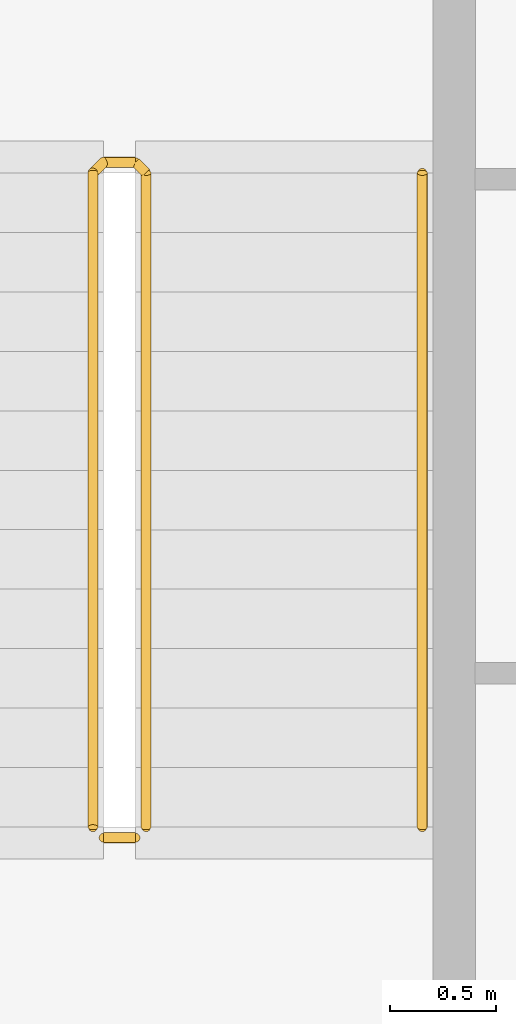
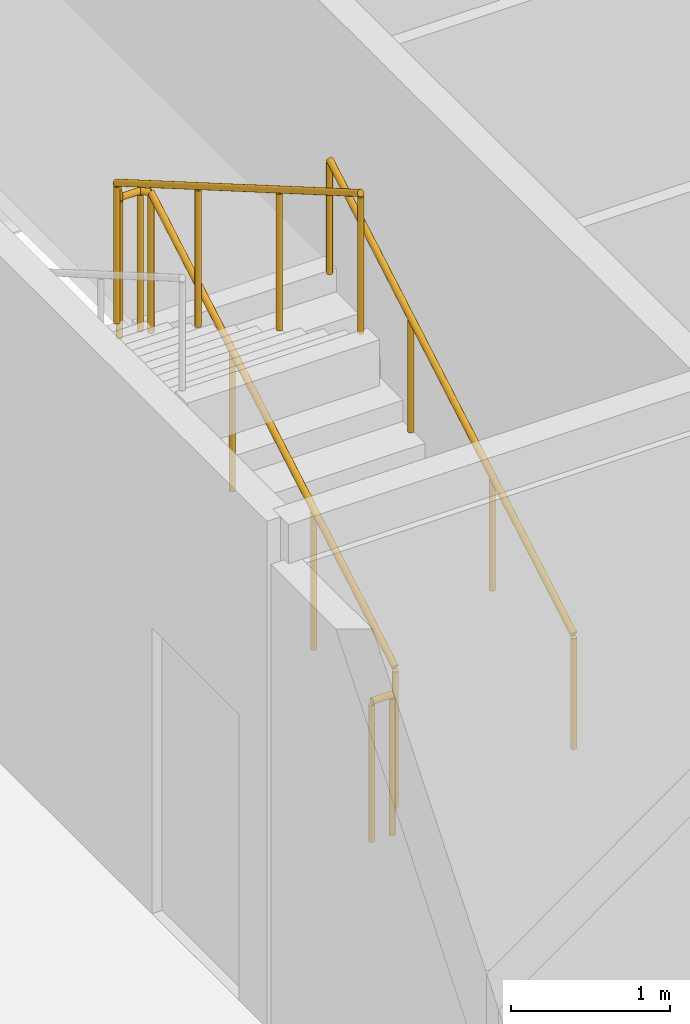
# One storey, part 27 of 28: 3 railings.
"""IFC4 building model written with IfcOpenShell, lengths in metres."""

from ifc_helpers import new_model, si_unit, direction, frame, origin, origin_2d, place, context, subcontext, project, spatial, circle, extrude, material, type_object, element, save


model = new_model("IFC4")

# Units and contexts
model_context = context("Model", 3, precision=1e-05, world=origin(), true_north=direction((0.0, 1.0)))
body_context = subcontext(model_context, "Body", "Model", "MODEL_VIEW")
ifc_project = project(units=[si_unit("LENGTHUNIT", "METRE"), si_unit("AREAUNIT", "SQUARE_METRE"), si_unit("VOLUMEUNIT", "CUBIC_METRE"), si_unit("PLANEANGLEUNIT", "RADIAN"), si_unit("MASSUNIT", "GRAM", prefix="KILO")], contexts=[model_context])

# Site, building, storey
site_placement = place(None, origin())
site = spatial("IfcSite", under=ifc_project, at=site_placement, CompositionType="ELEMENT")
building_placement = place(site_placement, origin())
building = spatial("IfcBuilding", under=site, at=building_placement, Name="Kheshtan School and Residences Tower", CompositionType="ELEMENT")
storey_placement = place(building_placement, frame((0.0, 0.0, 42.199951171875)))
storey = spatial("IfcBuildingStorey", under=building, at=storey_placement, Name="L09", CompositionType="ELEMENT", Elevation=42.199951171875)

# Railings
ifc_material_1 = material(Name="Stainless steel balustrade", Category="steel")
railing_type_1 = type_object("IfcRailingType", Name="Stair guard 1100", PredefinedType="GUARDRAIL", material=ifc_material_1)
railing_1_placement = place(storey_placement, frame((35.0, 80.89990234375, 0.16259765625)))
element("IfcRailing", 1, at=railing_1_placement, inside=storey, type_object=railing_type_1, Name="L09 ST3 stair guard 1", PredefinedType="GUARDRAIL", context=body_context, shape_type="SweptSolid", body=[
    extrude(circle(Radius=0.02392578125, at=origin_2d()), frame((0.0, 0.0, 1.076171875), z_axis=(0.0, 0.864920483161, 0.501908913857), x_axis=(-1.0, 0.0, 0.0)), (0.0, 0.0, 1.0), 3.56103515625),
    extrude(circle(Radius=0.02392578125, at=origin_2d()), frame((0.0, 3.080078125, 2.86328125), z_axis=(-0.707106781187, 0.707106781187, 0.0), x_axis=(-0.707106781187, -0.707106781187, 0.0)), (0.0, 0.0, 1.0), 0.07080078125),
    extrude(circle(Radius=0.02392578125, at=origin_2d()), frame((-0.050048828125, 3.130126953125, 2.86328125), z_axis=(-1.0, 0.0, 0.0), x_axis=(0.0, -1.0, 0.0)), (0.0, 0.0, 1.0), 0.14990234375),
    extrude(circle(Radius=0.02392578125, at=origin_2d()), frame((-0.199951171875, 3.130126953125, 2.86328125), z_axis=(-0.282227285176, -0.282227285176, 0.916894497205), x_axis=(0.707106781187, -0.707106781187, 0.0)), (0.0, 0.0, 1.0), 0.17724609375),
    extrude(circle(Radius=0.02392578125, at=origin_2d()), frame((-0.25, 3.080078125, 3.02587890625), z_axis=(0.0, -0.864890721111, 0.501960198159), x_axis=(1.0, 0.0, 0.0)), (0.0, 0.0, 1.0), 3.561279296875),
    extrude(circle(Radius=0.02099609375, at=origin_2d()), origin(), (0.0, 0.0, 1.0), 1.052001953125),
    extrude(circle(Radius=0.02099609375, at=origin_2d()), frame((0.0, 1.026611328125, 0.595703125)), (0.0, 0.0, 1.0), 1.052001953125),
    extrude(circle(Radius=0.02099609375, at=origin_2d()), frame((0.0, 2.053466796875, 1.191650390625)), (0.0, 0.0, 1.0), 1.052001953125),
    extrude(circle(Radius=0.02099609375, at=origin_2d()), frame((0.0, 3.080078125, 1.787353515625)), (0.0, 0.0, 1.0), 1.052001953125),
    extrude(circle(Radius=0.02099609375, at=origin_2d()), frame((-0.050048828125, 3.130126953125, 1.787353515625)), (0.0, 0.0, 1.0), 1.052001953125),
    extrude(circle(Radius=0.02099609375, at=origin_2d()), frame((-0.199951171875, 3.130126953125, 1.787353515625)), (0.0, 0.0, 1.0), 1.052001953125),
    extrude(circle(Radius=0.02099609375, at=origin_2d()), frame((-0.25, 3.080078125, 1.949951171875)), (0.0, 0.0, 1.0), 1.052001953125),
    extrude(circle(Radius=0.02099609375, at=origin_2d()), frame((-0.25, 2.053466796875, 2.5458984375)), (0.0, 0.0, 1.0), 1.052001953125),
    extrude(circle(Radius=0.02099609375, at=origin_2d()), frame((-0.25, 1.026611328125, 3.1416015625)), (0.0, 0.0, 1.0), 1.052001953125),
    extrude(circle(Radius=0.02099609375, at=origin_2d()), frame((-0.25, 0.0, 3.737548828125)), (0.0, 0.0, 1.0), 1.052001953125),
])
railing_2_placement = place(storey_placement, frame((34.949951171875, 80.85009765625, 0.0)))
element("IfcRailing", 2, at=railing_2_placement, inside=storey, type_object=railing_type_1, Name="L09 ST3 stair guard 2", PredefinedType="GUARDRAIL", context=body_context, shape_type="SweptSolid", body=[
    extrude(circle(Radius=0.02392578125, at=origin_2d()), frame((0.0, 0.0, 1.076171875), z_axis=(-1.0, 0.0, 0.0), x_axis=(0.0, -1.0, 0.0)), (0.0, 0.0, 1.0), 0.14990234375),
    extrude(circle(Radius=0.02099609375, at=origin_2d()), origin(), (0.0, 0.0, 1.0), 1.052001953125),
    extrude(circle(Radius=0.02099609375, at=origin_2d()), frame((-0.14990234375, 0.0, 0.0)), (0.0, 0.0, 1.0), 1.052001953125),
])
ifc_material_2 = material(Name="Stainless steel handrail", Category="steel")
railing_type_2 = type_object("IfcRailingType", Name="Stair handrail 900", PredefinedType="HANDRAIL", material=ifc_material_2)
railing_3_placement = place(storey_placement, frame((36.300048828125, 80.89990234375, 0.16259765625)))
element("IfcRailing", 3, at=railing_3_placement, inside=storey, type_object=railing_type_2, Name="L09 ST3 stair handrail 1", PredefinedType="HANDRAIL", context=body_context, shape_type="SweptSolid", body=[
    extrude(circle(Radius=0.02392578125, at=origin_2d()), frame((0.0, 0.0, 0.8759765625), z_axis=(0.0, 0.864920483161, 0.501908913857), x_axis=(-1.0, 0.0, 0.0)), (0.0, 0.0, 1.0), 3.56103515625),
    extrude(circle(Radius=0.02099609375, at=origin_2d()), origin(), (0.0, 0.0, 1.0), 0.851806640625),
    extrude(circle(Radius=0.02099609375, at=origin_2d()), frame((0.0, 1.026611328125, 0.595703125)), (0.0, 0.0, 1.0), 0.851806640625),
    extrude(circle(Radius=0.02099609375, at=origin_2d()), frame((0.0, 2.053466796875, 1.191650390625)), (0.0, 0.0, 1.0), 0.851806640625),
    extrude(circle(Radius=0.02099609375, at=origin_2d()), frame((0.0, 3.080078125, 1.787353515625)), (0.0, 0.0, 1.0), 0.851806640625),
])

save(model, "model.ifc")
